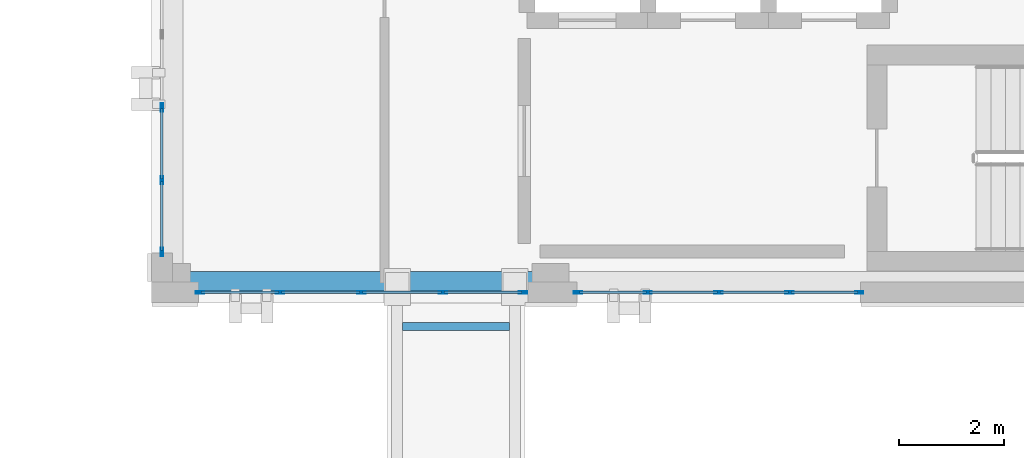
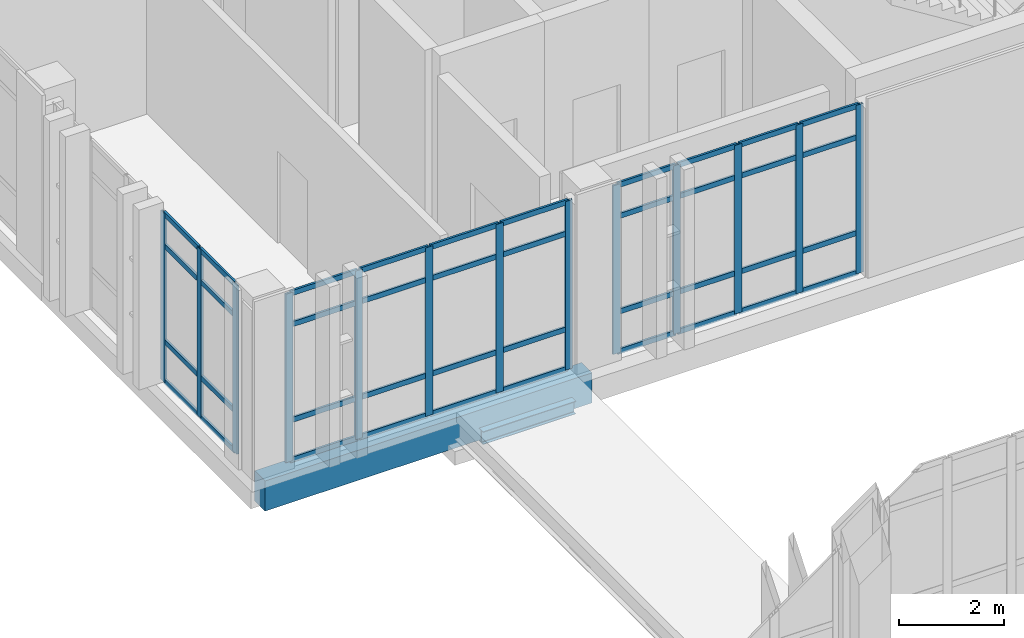
# One storey, part 54 of 158: 53 members, 2 beams, 3 elements without a shape of their own.
"""IFC4 building model written with IfcOpenShell, lengths in metres."""

from ifc_helpers import new_model, si_unit, direction, frame, origin, origin_2d, place, context, subcontext, project, spatial, rectangle, hollow_rectangle, i_section, extrude, material, layer, layer_set, material_profile, profile_set, type_object, element, aggregate, save


model = new_model("IFC4")

# Units and contexts
model_context = context("Model", 3, precision=1e-05, world=origin(), true_north=direction((0.0, 1.0)))
body_context = subcontext(model_context, "Body", "Model", "MODEL_VIEW")
ifc_project = project(units=[si_unit("LENGTHUNIT", "METRE"), si_unit("AREAUNIT", "SQUARE_METRE"), si_unit("VOLUMEUNIT", "CUBIC_METRE"), si_unit("PLANEANGLEUNIT", "RADIAN"), si_unit("MASSUNIT", "GRAM", prefix="KILO")], contexts=[model_context])

# Site, building, storey
site_placement = place(None, origin())
site = spatial("IfcSite", under=ifc_project, at=site_placement, CompositionType="ELEMENT")
building_placement = place(site_placement, origin())
building = spatial("IfcBuilding", under=site, at=building_placement, Name="Qalavern Law Courts", CompositionType="ELEMENT")
storey_placement = place(building_placement, frame((0.0, 0.0, 18.60009765625)))
storey = spatial("IfcBuildingStorey", under=building, at=storey_placement, Name="L04", CompositionType="ELEMENT", Elevation=18.60009765625)

# Curtain wall, members
ifc_material_1 = material(Name="Anodised aluminium and insulated glazing", Category="aluminium")
ifc_layer = layer(ifc_material_1, 0.159912109375)
ifc_layer_set = layer_set([ifc_layer], Name="Anodised aluminium and insulated glazing")
curtain_wall_type = type_object("IfcCurtainWallType", Name="ENV-CW-CHAMB", PredefinedType="USERDEFINED", material=ifc_layer_set)
curtain_wall_1_placement = place(storey_placement, origin())
curtain_wall_1 = element("IfcCurtainWall", 1, at=curtain_wall_1_placement, inside=storey, type_object=curtain_wall_type, Name="V4 unitised curtain wall L04 south 1", ObjectType="UNITISED CURTAIN WALL", PredefinedType="USERDEFINED")
ifc_material_2 = material(Name="Anodised aluminium", Category="aluminium")
ifc_material_profile_1 = material_profile(ifc_material_2, hollow_rectangle(XDim=0.048095703125, YDim=0.159912109375, WallThickness=0.00390625, at=origin_2d()), Name="ALU MULLION 48x160")
ifc_profile_set_1 = profile_set([ifc_material_profile_1], Name="Anodised aluminium")
member_type_1 = type_object("IfcMemberType", Name="ENV-CWM-48x160", PredefinedType="MULLION", material=ifc_profile_set_1)
member_1_placement = place(storey_placement, frame((85.1240234375, 41.219970703125, 0.0), z_axis=(0.0, 0.0, 1.0), x_axis=(0.0, 1.0, 0.0)))
member_1 = element("IfcMember", 2, at=member_1_placement, type_object=member_type_1, Name="CW-04 mullion 1", PredefinedType="MULLION", context=body_context, shape_type="SweptSolid", body=[
    extrude(hollow_rectangle(XDim=0.048095703125, YDim=0.159912109375, WallThickness=0.00390625, at=origin_2d()), origin(), (0.0, 0.0, 1.0), 3.9248046875),
])
member_2_placement = place(storey_placement, frame((86.64990234375, 41.219970703125, 0.0), z_axis=(0.0, 0.0, 1.0), x_axis=(0.0, 1.0, 0.0)))
member_2 = element("IfcMember", 3, at=member_2_placement, type_object=member_type_1, Name="CW-04 mullion 2", PredefinedType="MULLION", context=body_context, shape_type="SweptSolid", body=[
    extrude(hollow_rectangle(XDim=0.048095703125, YDim=0.159912109375, WallThickness=0.00390625, at=origin_2d()), origin(), (0.0, 0.0, 1.0), 3.9248046875),
])
member_3_placement = place(storey_placement, frame((88.199951171875, 41.219970703125, 0.0), z_axis=(0.0, 0.0, 1.0), x_axis=(0.0, 1.0, 0.0)))
member_3 = element("IfcMember", 4, at=member_3_placement, type_object=member_type_1, Name="CW-04 mullion 3", PredefinedType="MULLION", context=body_context, shape_type="SweptSolid", body=[
    extrude(hollow_rectangle(XDim=0.048095703125, YDim=0.159912109375, WallThickness=0.00390625, at=origin_2d()), origin(), (0.0, 0.0, 1.0), 3.9248046875),
])
member_4_placement = place(storey_placement, frame((89.75, 41.219970703125, 0.0), z_axis=(0.0, 0.0, 1.0), x_axis=(0.0, 1.0, 0.0)))
member_4 = element("IfcMember", 5, at=member_4_placement, type_object=member_type_1, Name="CW-04 mullion 4", PredefinedType="MULLION", context=body_context, shape_type="SweptSolid", body=[
    extrude(hollow_rectangle(XDim=0.048095703125, YDim=0.159912109375, WallThickness=0.00390625, at=origin_2d()), origin(), (0.0, 0.0, 1.0), 3.9248046875),
])
member_5_placement = place(storey_placement, frame((91.27587890625, 41.219970703125, 0.0), z_axis=(0.0, 0.0, 1.0), x_axis=(0.0, 1.0, 0.0)))
member_5 = element("IfcMember", 6, at=member_5_placement, type_object=member_type_1, Name="CW-04 mullion 5", PredefinedType="MULLION", context=body_context, shape_type="SweptSolid", body=[
    extrude(hollow_rectangle(XDim=0.048095703125, YDim=0.159912109375, WallThickness=0.00390625, at=origin_2d()), origin(), (0.0, 0.0, 1.0), 3.9248046875),
])

curtain_wall_2_placement = place(storey_placement, origin())
curtain_wall_2 = element("IfcCurtainWall", 7, at=curtain_wall_2_placement, inside=storey, type_object=curtain_wall_type, Name="V4 unitised curtain wall L04 south 2", ObjectType="UNITISED CURTAIN WALL", PredefinedType="USERDEFINED")
member_6_placement = place(storey_placement, frame((92.323974609375, 41.219970703125, 0.0), z_axis=(0.0, 0.0, 1.0), x_axis=(0.0, 1.0, 0.0)))
member_6 = element("IfcMember", 8, at=member_6_placement, type_object=member_type_1, Name="CW-04 mullion 1", PredefinedType="MULLION", context=body_context, shape_type="SweptSolid", body=[
    extrude(hollow_rectangle(XDim=0.048095703125, YDim=0.159912109375, WallThickness=0.00390625, at=origin_2d()), origin(), (0.0, 0.0, 1.0), 3.9248046875),
])
member_7_placement = place(storey_placement, frame((93.64990234375, 41.219970703125, 0.0), z_axis=(0.0, 0.0, 1.0), x_axis=(0.0, 1.0, 0.0)))
member_7 = element("IfcMember", 9, at=member_7_placement, type_object=member_type_1, Name="CW-04 mullion 2", PredefinedType="MULLION", context=body_context, shape_type="SweptSolid", body=[
    extrude(hollow_rectangle(XDim=0.048095703125, YDim=0.159912109375, WallThickness=0.00390625, at=origin_2d()), origin(), (0.0, 0.0, 1.0), 3.9248046875),
])
member_8_placement = place(storey_placement, frame((95.0, 41.219970703125, 0.0), z_axis=(0.0, 0.0, 1.0), x_axis=(0.0, 1.0, 0.0)))
member_8 = element("IfcMember", 10, at=member_8_placement, type_object=member_type_1, Name="CW-04 mullion 3", PredefinedType="MULLION", context=body_context, shape_type="SweptSolid", body=[
    extrude(hollow_rectangle(XDim=0.048095703125, YDim=0.159912109375, WallThickness=0.00390625, at=origin_2d()), origin(), (0.0, 0.0, 1.0), 3.9248046875),
])
member_9_placement = place(storey_placement, frame((96.35009765625, 41.219970703125, 0.0), z_axis=(0.0, 0.0, 1.0), x_axis=(0.0, 1.0, 0.0)))
member_9 = element("IfcMember", 11, at=member_9_placement, type_object=member_type_1, Name="CW-04 mullion 4", PredefinedType="MULLION", context=body_context, shape_type="SweptSolid", body=[
    extrude(hollow_rectangle(XDim=0.048095703125, YDim=0.159912109375, WallThickness=0.00390625, at=origin_2d()), origin(), (0.0, 0.0, 1.0), 3.9248046875),
])
member_10_placement = place(storey_placement, frame((97.676025390625, 41.219970703125, 0.0), z_axis=(0.0, 0.0, 1.0), x_axis=(0.0, 1.0, 0.0)))
member_10 = element("IfcMember", 12, at=member_10_placement, type_object=member_type_1, Name="CW-04 mullion 5", PredefinedType="MULLION", context=body_context, shape_type="SweptSolid", body=[
    extrude(hollow_rectangle(XDim=0.048095703125, YDim=0.159912109375, WallThickness=0.00390625, at=origin_2d()), origin(), (0.0, 0.0, 1.0), 3.9248046875),
])

curtain_wall_3_placement = place(storey_placement, origin())
curtain_wall_3 = element("IfcCurtainWall", 13, at=curtain_wall_3_placement, inside=storey, type_object=curtain_wall_type, Name="V4 unitised curtain wall L04 west 6", ObjectType="UNITISED CURTAIN WALL", PredefinedType="USERDEFINED")
member_11_placement = place(storey_placement, frame((84.39990234375, 44.739013671875, 0.0), z_axis=(0.0, 0.0, 1.0), x_axis=(1.0, 0.0, 0.0)))
member_11 = element("IfcMember", 14, at=member_11_placement, type_object=member_type_1, Name="CW-04 mullion 4", PredefinedType="MULLION", context=body_context, shape_type="SweptSolid", body=[
    extrude(hollow_rectangle(XDim=0.048095703125, YDim=0.159912109375, WallThickness=0.00390625, at=origin_2d()), origin(), (0.0, 0.0, 1.0), 3.9248046875),
])
member_12_placement = place(storey_placement, frame((84.39990234375, 43.35205078125, 0.0), z_axis=(0.0, 0.0, 1.0), x_axis=(1.0, 0.0, 0.0)))
member_12 = element("IfcMember", 15, at=member_12_placement, type_object=member_type_1, Name="CW-04 mullion 5", PredefinedType="MULLION", context=body_context, shape_type="SweptSolid", body=[
    extrude(hollow_rectangle(XDim=0.048095703125, YDim=0.159912109375, WallThickness=0.00390625, at=origin_2d()), origin(), (0.0, 0.0, 1.0), 3.9248046875),
])
member_13_placement = place(storey_placement, frame((84.39990234375, 41.989013671875, 0.0), z_axis=(0.0, 0.0, 1.0), x_axis=(1.0, 0.0, 0.0)))
member_13 = element("IfcMember", 16, at=member_13_placement, type_object=member_type_1, Name="CW-04 mullion 6", PredefinedType="MULLION", context=body_context, shape_type="SweptSolid", body=[
    extrude(hollow_rectangle(XDim=0.048095703125, YDim=0.159912109375, WallThickness=0.00390625, at=origin_2d()), origin(), (0.0, 0.0, 1.0), 3.9248046875),
])

# Member
ifc_material_profile_2 = material_profile(ifc_material_2, hollow_rectangle(XDim=0.048095703125, YDim=0.1201171875, WallThickness=0.00390625, at=origin_2d()), Name="ALU TRANSOM 48x120")
ifc_profile_set_2 = profile_set([ifc_material_profile_2], Name="Anodised aluminium")
member_type_2 = type_object("IfcMemberType", Name="ENV-CWT-48x120", PredefinedType="USERDEFINED", material=ifc_profile_set_2)
member_14_placement = place(storey_placement, frame((85.14794921875, 41.219970703125, 0.02392578125), z_axis=(1.0, 0.0, 0.0), x_axis=(0.0, 1.0, 0.0)))
member_14 = element("IfcMember", 17, at=member_14_placement, type_object=member_type_2, Name="CW-04 transom 1.1", ObjectType="TRANSOM", PredefinedType="USERDEFINED", context=body_context, shape_type="SweptSolid", body=[
    extrude(hollow_rectangle(XDim=0.048095703125, YDim=0.1201171875, WallThickness=0.00390625, at=origin_2d()), origin(), (0.0, 0.0, 1.0), 1.47802734375),
])

member_15_placement = place(storey_placement, frame((85.14794921875, 41.219970703125, 0.949951171875), z_axis=(1.0, 0.0, 0.0), x_axis=(0.0, 1.0, 0.0)))
member_15 = element("IfcMember", 18, at=member_15_placement, type_object=member_type_2, Name="CW-04 transom 1.2", ObjectType="TRANSOM", PredefinedType="USERDEFINED", context=body_context, shape_type="SweptSolid", body=[
    extrude(hollow_rectangle(XDim=0.048095703125, YDim=0.1201171875, WallThickness=0.00390625, at=origin_2d()), origin(), (0.0, 0.0, 1.0), 1.47802734375),
])

member_16_placement = place(storey_placement, frame((85.14794921875, 41.219970703125, 3.1748046875), z_axis=(1.0, 0.0, 0.0), x_axis=(0.0, 1.0, 0.0)))
member_16 = element("IfcMember", 19, at=member_16_placement, type_object=member_type_2, Name="CW-04 transom 1.3", ObjectType="TRANSOM", PredefinedType="USERDEFINED", context=body_context, shape_type="SweptSolid", body=[
    extrude(hollow_rectangle(XDim=0.048095703125, YDim=0.1201171875, WallThickness=0.00390625, at=origin_2d()), origin(), (0.0, 0.0, 1.0), 1.47802734375),
])

member_17_placement = place(storey_placement, frame((85.14794921875, 41.219970703125, 3.90087890625), z_axis=(1.0, 0.0, 0.0), x_axis=(0.0, 1.0, 0.0)))
member_17 = element("IfcMember", 20, at=member_17_placement, type_object=member_type_2, Name="CW-04 transom 1.4", ObjectType="TRANSOM", PredefinedType="USERDEFINED", context=body_context, shape_type="SweptSolid", body=[
    extrude(hollow_rectangle(XDim=0.048095703125, YDim=0.1201171875, WallThickness=0.00390625, at=origin_2d()), origin(), (0.0, 0.0, 1.0), 1.47802734375),
])

member_18_placement = place(storey_placement, frame((86.674072265625, 41.219970703125, 0.02392578125), z_axis=(1.0, 0.0, 0.0), x_axis=(0.0, 1.0, 0.0)))
member_18 = element("IfcMember", 21, at=member_18_placement, type_object=member_type_2, Name="CW-04 transom 2.1", ObjectType="TRANSOM", PredefinedType="USERDEFINED", context=body_context, shape_type="SweptSolid", body=[
    extrude(hollow_rectangle(XDim=0.048095703125, YDim=0.1201171875, WallThickness=0.00390625, at=origin_2d()), origin(), (0.0, 0.0, 1.0), 1.501953125),
])

member_19_placement = place(storey_placement, frame((86.674072265625, 41.219970703125, 0.949951171875), z_axis=(1.0, 0.0, 0.0), x_axis=(0.0, 1.0, 0.0)))
member_19 = element("IfcMember", 22, at=member_19_placement, type_object=member_type_2, Name="CW-04 transom 2.2", ObjectType="TRANSOM", PredefinedType="USERDEFINED", context=body_context, shape_type="SweptSolid", body=[
    extrude(hollow_rectangle(XDim=0.048095703125, YDim=0.1201171875, WallThickness=0.00390625, at=origin_2d()), origin(), (0.0, 0.0, 1.0), 1.501953125),
])

member_20_placement = place(storey_placement, frame((86.674072265625, 41.219970703125, 3.1748046875), z_axis=(1.0, 0.0, 0.0), x_axis=(0.0, 1.0, 0.0)))
member_20 = element("IfcMember", 23, at=member_20_placement, type_object=member_type_2, Name="CW-04 transom 2.3", ObjectType="TRANSOM", PredefinedType="USERDEFINED", context=body_context, shape_type="SweptSolid", body=[
    extrude(hollow_rectangle(XDim=0.048095703125, YDim=0.1201171875, WallThickness=0.00390625, at=origin_2d()), origin(), (0.0, 0.0, 1.0), 1.501953125),
])

member_21_placement = place(storey_placement, frame((86.674072265625, 41.219970703125, 3.90087890625), z_axis=(1.0, 0.0, 0.0), x_axis=(0.0, 1.0, 0.0)))
member_21 = element("IfcMember", 24, at=member_21_placement, type_object=member_type_2, Name="CW-04 transom 2.4", ObjectType="TRANSOM", PredefinedType="USERDEFINED", context=body_context, shape_type="SweptSolid", body=[
    extrude(hollow_rectangle(XDim=0.048095703125, YDim=0.1201171875, WallThickness=0.00390625, at=origin_2d()), origin(), (0.0, 0.0, 1.0), 1.501953125),
])

member_22_placement = place(storey_placement, frame((88.22412109375, 41.219970703125, 0.02392578125), z_axis=(1.0, 0.0, 0.0), x_axis=(0.0, 1.0, 0.0)))
member_22 = element("IfcMember", 25, at=member_22_placement, type_object=member_type_2, Name="CW-04 transom 3.1", ObjectType="TRANSOM", PredefinedType="USERDEFINED", context=body_context, shape_type="SweptSolid", body=[
    extrude(hollow_rectangle(XDim=0.048095703125, YDim=0.1201171875, WallThickness=0.00390625, at=origin_2d()), origin(), (0.0, 0.0, 1.0), 1.501953125),
])

member_23_placement = place(storey_placement, frame((88.22412109375, 41.219970703125, 0.949951171875), z_axis=(1.0, 0.0, 0.0), x_axis=(0.0, 1.0, 0.0)))
member_23 = element("IfcMember", 26, at=member_23_placement, type_object=member_type_2, Name="CW-04 transom 3.2", ObjectType="TRANSOM", PredefinedType="USERDEFINED", context=body_context, shape_type="SweptSolid", body=[
    extrude(hollow_rectangle(XDim=0.048095703125, YDim=0.1201171875, WallThickness=0.00390625, at=origin_2d()), origin(), (0.0, 0.0, 1.0), 1.501953125),
])

member_24_placement = place(storey_placement, frame((88.22412109375, 41.219970703125, 3.1748046875), z_axis=(1.0, 0.0, 0.0), x_axis=(0.0, 1.0, 0.0)))
member_24 = element("IfcMember", 27, at=member_24_placement, type_object=member_type_2, Name="CW-04 transom 3.3", ObjectType="TRANSOM", PredefinedType="USERDEFINED", context=body_context, shape_type="SweptSolid", body=[
    extrude(hollow_rectangle(XDim=0.048095703125, YDim=0.1201171875, WallThickness=0.00390625, at=origin_2d()), origin(), (0.0, 0.0, 1.0), 1.501953125),
])

member_25_placement = place(storey_placement, frame((88.22412109375, 41.219970703125, 3.90087890625), z_axis=(1.0, 0.0, 0.0), x_axis=(0.0, 1.0, 0.0)))
member_25 = element("IfcMember", 28, at=member_25_placement, type_object=member_type_2, Name="CW-04 transom 3.4", ObjectType="TRANSOM", PredefinedType="USERDEFINED", context=body_context, shape_type="SweptSolid", body=[
    extrude(hollow_rectangle(XDim=0.048095703125, YDim=0.1201171875, WallThickness=0.00390625, at=origin_2d()), origin(), (0.0, 0.0, 1.0), 1.501953125),
])

member_26_placement = place(storey_placement, frame((89.77392578125, 41.219970703125, 0.02392578125), z_axis=(1.0, 0.0, 0.0), x_axis=(0.0, 1.0, 0.0)))
member_26 = element("IfcMember", 29, at=member_26_placement, type_object=member_type_2, Name="CW-04 transom 4.1", ObjectType="TRANSOM", PredefinedType="USERDEFINED", context=body_context, shape_type="SweptSolid", body=[
    extrude(hollow_rectangle(XDim=0.048095703125, YDim=0.1201171875, WallThickness=0.00390625, at=origin_2d()), origin(), (0.0, 0.0, 1.0), 1.47802734375),
])

member_27_placement = place(storey_placement, frame((89.77392578125, 41.219970703125, 0.949951171875), z_axis=(1.0, 0.0, 0.0), x_axis=(0.0, 1.0, 0.0)))
member_27 = element("IfcMember", 30, at=member_27_placement, type_object=member_type_2, Name="CW-04 transom 4.2", ObjectType="TRANSOM", PredefinedType="USERDEFINED", context=body_context, shape_type="SweptSolid", body=[
    extrude(hollow_rectangle(XDim=0.048095703125, YDim=0.1201171875, WallThickness=0.00390625, at=origin_2d()), origin(), (0.0, 0.0, 1.0), 1.47802734375),
])

member_28_placement = place(storey_placement, frame((89.77392578125, 41.219970703125, 3.1748046875), z_axis=(1.0, 0.0, 0.0), x_axis=(0.0, 1.0, 0.0)))
member_28 = element("IfcMember", 31, at=member_28_placement, type_object=member_type_2, Name="CW-04 transom 4.3", ObjectType="TRANSOM", PredefinedType="USERDEFINED", context=body_context, shape_type="SweptSolid", body=[
    extrude(hollow_rectangle(XDim=0.048095703125, YDim=0.1201171875, WallThickness=0.00390625, at=origin_2d()), origin(), (0.0, 0.0, 1.0), 1.47802734375),
])

member_29_placement = place(storey_placement, frame((89.77392578125, 41.219970703125, 3.90087890625), z_axis=(1.0, 0.0, 0.0), x_axis=(0.0, 1.0, 0.0)))
member_29 = element("IfcMember", 32, at=member_29_placement, type_object=member_type_2, Name="CW-04 transom 4.4", ObjectType="TRANSOM", PredefinedType="USERDEFINED", context=body_context, shape_type="SweptSolid", body=[
    extrude(hollow_rectangle(XDim=0.048095703125, YDim=0.1201171875, WallThickness=0.00390625, at=origin_2d()), origin(), (0.0, 0.0, 1.0), 1.47802734375),
])

aggregate(curtain_wall_1, [member_1, member_2, member_3, member_4, member_5, member_14, member_15, member_16, member_17, member_18, member_19, member_20, member_21, member_22, member_23, member_24, member_25, member_26, member_27, member_28, member_29])

member_30_placement = place(storey_placement, frame((92.347900390625, 41.219970703125, 0.02392578125), z_axis=(1.0, 0.0, 0.0), x_axis=(0.0, 1.0, 0.0)))
member_30 = element("IfcMember", 33, at=member_30_placement, type_object=member_type_2, Name="CW-04 transom 1.1", ObjectType="TRANSOM", PredefinedType="USERDEFINED", context=body_context, shape_type="SweptSolid", body=[
    extrude(hollow_rectangle(XDim=0.048095703125, YDim=0.1201171875, WallThickness=0.00390625, at=origin_2d()), origin(), (0.0, 0.0, 1.0), 1.278076171875),
])

member_31_placement = place(storey_placement, frame((92.347900390625, 41.219970703125, 0.949951171875), z_axis=(1.0, 0.0, 0.0), x_axis=(0.0, 1.0, 0.0)))
member_31 = element("IfcMember", 34, at=member_31_placement, type_object=member_type_2, Name="CW-04 transom 1.2", ObjectType="TRANSOM", PredefinedType="USERDEFINED", context=body_context, shape_type="SweptSolid", body=[
    extrude(hollow_rectangle(XDim=0.048095703125, YDim=0.1201171875, WallThickness=0.00390625, at=origin_2d()), origin(), (0.0, 0.0, 1.0), 1.278076171875),
])

member_32_placement = place(storey_placement, frame((92.347900390625, 41.219970703125, 3.1748046875), z_axis=(1.0, 0.0, 0.0), x_axis=(0.0, 1.0, 0.0)))
member_32 = element("IfcMember", 35, at=member_32_placement, type_object=member_type_2, Name="CW-04 transom 1.3", ObjectType="TRANSOM", PredefinedType="USERDEFINED", context=body_context, shape_type="SweptSolid", body=[
    extrude(hollow_rectangle(XDim=0.048095703125, YDim=0.1201171875, WallThickness=0.00390625, at=origin_2d()), origin(), (0.0, 0.0, 1.0), 1.278076171875),
])

member_33_placement = place(storey_placement, frame((92.347900390625, 41.219970703125, 3.90087890625), z_axis=(1.0, 0.0, 0.0), x_axis=(0.0, 1.0, 0.0)))
member_33 = element("IfcMember", 36, at=member_33_placement, type_object=member_type_2, Name="CW-04 transom 1.4", ObjectType="TRANSOM", PredefinedType="USERDEFINED", context=body_context, shape_type="SweptSolid", body=[
    extrude(hollow_rectangle(XDim=0.048095703125, YDim=0.1201171875, WallThickness=0.00390625, at=origin_2d()), origin(), (0.0, 0.0, 1.0), 1.278076171875),
])

member_34_placement = place(storey_placement, frame((93.674072265625, 41.219970703125, 0.02392578125), z_axis=(1.0, 0.0, 0.0), x_axis=(0.0, 1.0, 0.0)))
member_34 = element("IfcMember", 37, at=member_34_placement, type_object=member_type_2, Name="CW-04 transom 2.1", ObjectType="TRANSOM", PredefinedType="USERDEFINED", context=body_context, shape_type="SweptSolid", body=[
    extrude(hollow_rectangle(XDim=0.048095703125, YDim=0.1201171875, WallThickness=0.00390625, at=origin_2d()), origin(), (0.0, 0.0, 1.0), 1.302001953125),
])

member_35_placement = place(storey_placement, frame((93.674072265625, 41.219970703125, 0.949951171875), z_axis=(1.0, 0.0, 0.0), x_axis=(0.0, 1.0, 0.0)))
member_35 = element("IfcMember", 38, at=member_35_placement, type_object=member_type_2, Name="CW-04 transom 2.2", ObjectType="TRANSOM", PredefinedType="USERDEFINED", context=body_context, shape_type="SweptSolid", body=[
    extrude(hollow_rectangle(XDim=0.048095703125, YDim=0.1201171875, WallThickness=0.00390625, at=origin_2d()), origin(), (0.0, 0.0, 1.0), 1.302001953125),
])

member_36_placement = place(storey_placement, frame((93.674072265625, 41.219970703125, 3.1748046875), z_axis=(1.0, 0.0, 0.0), x_axis=(0.0, 1.0, 0.0)))
member_36 = element("IfcMember", 39, at=member_36_placement, type_object=member_type_2, Name="CW-04 transom 2.3", ObjectType="TRANSOM", PredefinedType="USERDEFINED", context=body_context, shape_type="SweptSolid", body=[
    extrude(hollow_rectangle(XDim=0.048095703125, YDim=0.1201171875, WallThickness=0.00390625, at=origin_2d()), origin(), (0.0, 0.0, 1.0), 1.302001953125),
])

member_37_placement = place(storey_placement, frame((93.674072265625, 41.219970703125, 3.90087890625), z_axis=(1.0, 0.0, 0.0), x_axis=(0.0, 1.0, 0.0)))
member_37 = element("IfcMember", 40, at=member_37_placement, type_object=member_type_2, Name="CW-04 transom 2.4", ObjectType="TRANSOM", PredefinedType="USERDEFINED", context=body_context, shape_type="SweptSolid", body=[
    extrude(hollow_rectangle(XDim=0.048095703125, YDim=0.1201171875, WallThickness=0.00390625, at=origin_2d()), origin(), (0.0, 0.0, 1.0), 1.302001953125),
])

member_38_placement = place(storey_placement, frame((95.02392578125, 41.219970703125, 0.02392578125), z_axis=(1.0, 0.0, 0.0), x_axis=(0.0, 1.0, 0.0)))
member_38 = element("IfcMember", 41, at=member_38_placement, type_object=member_type_2, Name="CW-04 transom 3.1", ObjectType="TRANSOM", PredefinedType="USERDEFINED", context=body_context, shape_type="SweptSolid", body=[
    extrude(hollow_rectangle(XDim=0.048095703125, YDim=0.1201171875, WallThickness=0.00390625, at=origin_2d()), origin(), (0.0, 0.0, 1.0), 1.302001953125),
])

member_39_placement = place(storey_placement, frame((95.02392578125, 41.219970703125, 0.949951171875), z_axis=(1.0, 0.0, 0.0), x_axis=(0.0, 1.0, 0.0)))
member_39 = element("IfcMember", 42, at=member_39_placement, type_object=member_type_2, Name="CW-04 transom 3.2", ObjectType="TRANSOM", PredefinedType="USERDEFINED", context=body_context, shape_type="SweptSolid", body=[
    extrude(hollow_rectangle(XDim=0.048095703125, YDim=0.1201171875, WallThickness=0.00390625, at=origin_2d()), origin(), (0.0, 0.0, 1.0), 1.302001953125),
])

member_40_placement = place(storey_placement, frame((95.02392578125, 41.219970703125, 3.1748046875), z_axis=(1.0, 0.0, 0.0), x_axis=(0.0, 1.0, 0.0)))
member_40 = element("IfcMember", 43, at=member_40_placement, type_object=member_type_2, Name="CW-04 transom 3.3", ObjectType="TRANSOM", PredefinedType="USERDEFINED", context=body_context, shape_type="SweptSolid", body=[
    extrude(hollow_rectangle(XDim=0.048095703125, YDim=0.1201171875, WallThickness=0.00390625, at=origin_2d()), origin(), (0.0, 0.0, 1.0), 1.302001953125),
])

member_41_placement = place(storey_placement, frame((95.02392578125, 41.219970703125, 3.90087890625), z_axis=(1.0, 0.0, 0.0), x_axis=(0.0, 1.0, 0.0)))
member_41 = element("IfcMember", 44, at=member_41_placement, type_object=member_type_2, Name="CW-04 transom 3.4", ObjectType="TRANSOM", PredefinedType="USERDEFINED", context=body_context, shape_type="SweptSolid", body=[
    extrude(hollow_rectangle(XDim=0.048095703125, YDim=0.1201171875, WallThickness=0.00390625, at=origin_2d()), origin(), (0.0, 0.0, 1.0), 1.302001953125),
])

member_42_placement = place(storey_placement, frame((96.3740234375, 41.219970703125, 0.02392578125), z_axis=(1.0, 0.0, 0.0), x_axis=(0.0, 1.0, 0.0)))
member_42 = element("IfcMember", 45, at=member_42_placement, type_object=member_type_2, Name="CW-04 transom 4.1", ObjectType="TRANSOM", PredefinedType="USERDEFINED", context=body_context, shape_type="SweptSolid", body=[
    extrude(hollow_rectangle(XDim=0.048095703125, YDim=0.1201171875, WallThickness=0.00390625, at=origin_2d()), origin(), (0.0, 0.0, 1.0), 1.278076171875),
])

member_43_placement = place(storey_placement, frame((96.3740234375, 41.219970703125, 0.949951171875), z_axis=(1.0, 0.0, 0.0), x_axis=(0.0, 1.0, 0.0)))
member_43 = element("IfcMember", 46, at=member_43_placement, type_object=member_type_2, Name="CW-04 transom 4.2", ObjectType="TRANSOM", PredefinedType="USERDEFINED", context=body_context, shape_type="SweptSolid", body=[
    extrude(hollow_rectangle(XDim=0.048095703125, YDim=0.1201171875, WallThickness=0.00390625, at=origin_2d()), origin(), (0.0, 0.0, 1.0), 1.278076171875),
])

member_44_placement = place(storey_placement, frame((96.3740234375, 41.219970703125, 3.1748046875), z_axis=(1.0, 0.0, 0.0), x_axis=(0.0, 1.0, 0.0)))
member_44 = element("IfcMember", 47, at=member_44_placement, type_object=member_type_2, Name="CW-04 transom 4.3", ObjectType="TRANSOM", PredefinedType="USERDEFINED", context=body_context, shape_type="SweptSolid", body=[
    extrude(hollow_rectangle(XDim=0.048095703125, YDim=0.1201171875, WallThickness=0.00390625, at=origin_2d()), origin(), (0.0, 0.0, 1.0), 1.278076171875),
])

member_45_placement = place(storey_placement, frame((96.3740234375, 41.219970703125, 3.90087890625), z_axis=(1.0, 0.0, 0.0), x_axis=(0.0, 1.0, 0.0)))
member_45 = element("IfcMember", 48, at=member_45_placement, type_object=member_type_2, Name="CW-04 transom 4.4", ObjectType="TRANSOM", PredefinedType="USERDEFINED", context=body_context, shape_type="SweptSolid", body=[
    extrude(hollow_rectangle(XDim=0.048095703125, YDim=0.1201171875, WallThickness=0.00390625, at=origin_2d()), origin(), (0.0, 0.0, 1.0), 1.278076171875),
])

aggregate(curtain_wall_2, [member_6, member_7, member_8, member_9, member_10, member_30, member_31, member_32, member_33, member_34, member_35, member_36, member_37, member_38, member_39, member_40, member_41, member_42, member_43, member_44, member_45])

member_46_placement = place(storey_placement, frame((84.39990234375, 44.715087890625, 0.02392578125), z_axis=(0.0, -1.0, 0.0), x_axis=(1.0, 0.0, 0.0)))
member_46 = element("IfcMember", 49, at=member_46_placement, type_object=member_type_2, Name="CW-04 transom 4.1", ObjectType="TRANSOM", PredefinedType="USERDEFINED", context=body_context, shape_type="SweptSolid", body=[
    extrude(hollow_rectangle(XDim=0.048095703125, YDim=0.1201171875, WallThickness=0.00390625, at=origin_2d()), origin(), (0.0, 0.0, 1.0), 1.339111328125),
])

member_47_placement = place(storey_placement, frame((84.39990234375, 44.715087890625, 0.949951171875), z_axis=(0.0, -1.0, 0.0), x_axis=(1.0, 0.0, 0.0)))
member_47 = element("IfcMember", 50, at=member_47_placement, type_object=member_type_2, Name="CW-04 transom 4.2", ObjectType="TRANSOM", PredefinedType="USERDEFINED", context=body_context, shape_type="SweptSolid", body=[
    extrude(hollow_rectangle(XDim=0.048095703125, YDim=0.1201171875, WallThickness=0.00390625, at=origin_2d()), origin(), (0.0, 0.0, 1.0), 1.339111328125),
])

member_48_placement = place(storey_placement, frame((84.39990234375, 44.715087890625, 3.1748046875), z_axis=(0.0, -1.0, 0.0), x_axis=(1.0, 0.0, 0.0)))
member_48 = element("IfcMember", 51, at=member_48_placement, type_object=member_type_2, Name="CW-04 transom 4.3", ObjectType="TRANSOM", PredefinedType="USERDEFINED", context=body_context, shape_type="SweptSolid", body=[
    extrude(hollow_rectangle(XDim=0.048095703125, YDim=0.1201171875, WallThickness=0.00390625, at=origin_2d()), origin(), (0.0, 0.0, 1.0), 1.339111328125),
])

member_49_placement = place(storey_placement, frame((84.39990234375, 44.715087890625, 3.90087890625), z_axis=(0.0, -1.0, 0.0), x_axis=(1.0, 0.0, 0.0)))
member_49 = element("IfcMember", 52, at=member_49_placement, type_object=member_type_2, Name="CW-04 transom 4.4", ObjectType="TRANSOM", PredefinedType="USERDEFINED", context=body_context, shape_type="SweptSolid", body=[
    extrude(hollow_rectangle(XDim=0.048095703125, YDim=0.1201171875, WallThickness=0.00390625, at=origin_2d()), origin(), (0.0, 0.0, 1.0), 1.339111328125),
])

member_50_placement = place(storey_placement, frame((84.39990234375, 43.327880859375, 0.02392578125), z_axis=(0.0, -1.0, 0.0), x_axis=(1.0, 0.0, 0.0)))
member_50 = element("IfcMember", 53, at=member_50_placement, type_object=member_type_2, Name="CW-04 transom 5.1", ObjectType="TRANSOM", PredefinedType="USERDEFINED", context=body_context, shape_type="SweptSolid", body=[
    extrude(hollow_rectangle(XDim=0.048095703125, YDim=0.1201171875, WallThickness=0.00390625, at=origin_2d()), origin(), (0.0, 0.0, 1.0), 1.31494140625),
])

member_51_placement = place(storey_placement, frame((84.39990234375, 43.327880859375, 0.949951171875), z_axis=(0.0, -1.0, 0.0), x_axis=(1.0, 0.0, 0.0)))
member_51 = element("IfcMember", 54, at=member_51_placement, type_object=member_type_2, Name="CW-04 transom 5.2", ObjectType="TRANSOM", PredefinedType="USERDEFINED", context=body_context, shape_type="SweptSolid", body=[
    extrude(hollow_rectangle(XDim=0.048095703125, YDim=0.1201171875, WallThickness=0.00390625, at=origin_2d()), origin(), (0.0, 0.0, 1.0), 1.31494140625),
])

member_52_placement = place(storey_placement, frame((84.39990234375, 43.327880859375, 3.1748046875), z_axis=(0.0, -1.0, 0.0), x_axis=(1.0, 0.0, 0.0)))
member_52 = element("IfcMember", 55, at=member_52_placement, type_object=member_type_2, Name="CW-04 transom 5.3", ObjectType="TRANSOM", PredefinedType="USERDEFINED", context=body_context, shape_type="SweptSolid", body=[
    extrude(hollow_rectangle(XDim=0.048095703125, YDim=0.1201171875, WallThickness=0.00390625, at=origin_2d()), origin(), (0.0, 0.0, 1.0), 1.31494140625),
])

member_53_placement = place(storey_placement, frame((84.39990234375, 43.327880859375, 3.90087890625), z_axis=(0.0, -1.0, 0.0), x_axis=(1.0, 0.0, 0.0)))
member_53 = element("IfcMember", 56, at=member_53_placement, type_object=member_type_2, Name="CW-04 transom 5.4", ObjectType="TRANSOM", PredefinedType="USERDEFINED", context=body_context, shape_type="SweptSolid", body=[
    extrude(hollow_rectangle(XDim=0.048095703125, YDim=0.1201171875, WallThickness=0.00390625, at=origin_2d()), origin(), (0.0, 0.0, 1.0), 1.31494140625),
])

aggregate(curtain_wall_3, [member_11, member_12, member_13, member_46, member_47, member_48, member_49, member_50, member_51, member_52, member_53])

# Beams
ifc_material_3 = material(Name="Steel S355", Category="steel")
ifc_material_profile_3 = material_profile(ifc_material_3, i_section(OverallWidth=0.14990234375, OverallDepth=0.300048828125, WebThickness=0.007080078125, FlangeThickness=0.0107421875, FilletRadius=0.014892578125, at=origin_2d()), Name="IPE 300")
ifc_profile_set_3 = profile_set([ifc_material_profile_3], Name="Steel S355")
beam_type_1 = type_object("IfcBeamType", Name="STR-JST-IPE300", PredefinedType="JOIST", material=ifc_profile_set_3)
beam_1_placement = place(storey_placement, frame((88.97998046875, 40.570068359375, -0.378173828125), z_axis=(1.0, 0.0, 0.0), x_axis=(0.0, 1.0, 0.0)))
element("IfcBeam", 57, at=beam_1_placement, inside=storey, type_object=beam_type_1, Name="Bridge BR-V2-V4 cross beam 3 L04", PredefinedType="JOIST", context=body_context, shape_type="SweptSolid", body=[
    extrude(i_section(OverallWidth=0.14990234375, OverallDepth=0.300048828125, WebThickness=0.007080078125, FlangeThickness=0.0107421875, FilletRadius=0.014892578125, at=origin_2d()), origin(), (0.0, 0.0, 1.0), 2.0400390625),
])
ifc_material_4 = material(Name="Concrete C40/50", Category="concrete")
ifc_material_profile_4 = material_profile(ifc_material_4, rectangle(XDim=0.39990234375, YDim=0.699951171875, at=origin_2d()), Name="RC 400x700")
ifc_profile_set_4 = profile_set([ifc_material_profile_4], Name="Concrete C40/50")
beam_type_2 = type_object("IfcBeamType", Name="STR-SP-RC400x700", PredefinedType="SPANDREL", material=ifc_profile_set_4)
beam_2_placement = place(storey_placement, frame((84.60009765625, 41.419921875, -0.630126953125), z_axis=(1.0, 0.0, 0.0), x_axis=(0.0, 1.0, 0.0)))
element("IfcBeam", 58, at=beam_2_placement, inside=storey, type_object=beam_type_2, Name="V4 X-beam 1-1 L04", PredefinedType="SPANDREL", context=body_context, shape_type="SweptSolid", body=[
    extrude(rectangle(XDim=0.39990234375, YDim=0.699951171875, at=origin_2d()), origin(), (0.0, 0.0, 1.0), 7.199951171875),
])

save(model, "model.ifc")
